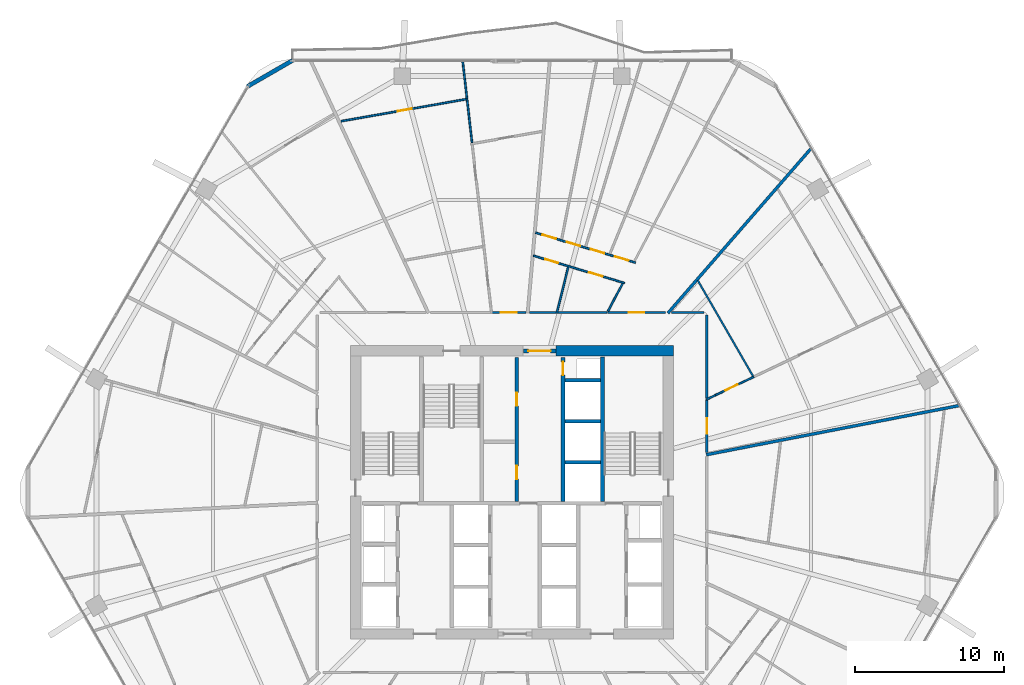
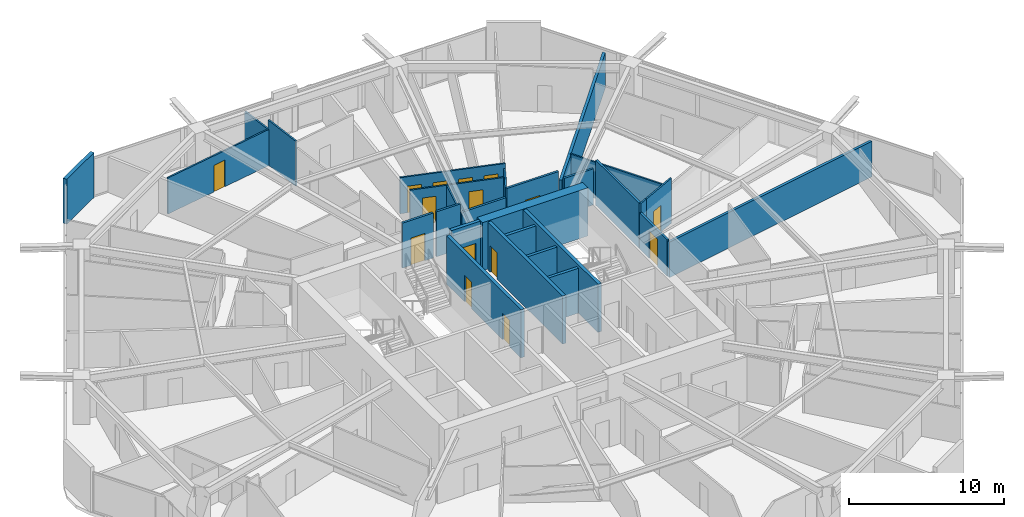
# One storey, part 28 of 33: 28 walls, 15 doors, 15 openings.
"""IFC4 building model written with IfcOpenShell, lengths in metres."""

from ifc_helpers import new_model, si_unit, direction, frame, frame_2d, origin, place, context, subcontext, project, spatial, rectangle, extrude, material, layer, layer_set, type_object, element, fill, save


model = new_model("IFC4")

# Units and contexts
model_context = context("Model", 3, precision=1e-05, world=origin(), true_north=direction((0.0, 1.0)))
body_context = subcontext(model_context, "Body", "Model", "MODEL_VIEW")
ifc_project = project(units=[si_unit("LENGTHUNIT", "METRE"), si_unit("AREAUNIT", "SQUARE_METRE"), si_unit("VOLUMEUNIT", "CUBIC_METRE"), si_unit("PLANEANGLEUNIT", "RADIAN"), si_unit("MASSUNIT", "GRAM", prefix="KILO")], contexts=[model_context])

# Site, building, storey
site_placement = place(None, origin())
site = spatial("IfcSite", under=ifc_project, at=site_placement, CompositionType="ELEMENT")
building_placement = place(site_placement, origin())
building = spatial("IfcBuilding", under=site, at=building_placement, Name="Zuhravey Tower", CompositionType="ELEMENT")
storey_placement = place(building_placement, frame((0.0, 0.0, 126.60009765625)))
storey = spatial("IfcBuildingStorey", under=building, at=storey_placement, Name="L31", CompositionType="ELEMENT", Elevation=126.60009765625)

# Wall
ifc_material_1 = material(Name="Concrete C60/75", Category="concrete")
ifc_layer_1 = layer(ifc_material_1, 0.699951171875)
ifc_layer_set_1 = layer_set([ifc_layer_1], Name="Concrete C60/75")
wall_type_1 = type_object("IfcWallType", Name="Core Shear Wall 700", PredefinedType="SHEAR", material=ifc_layer_set_1)
wall_1_placement = place(storey_placement, frame((46.85009765625, 41.5, 0.0), z_axis=(0.0, 0.0, 1.0), x_axis=(-1.0, 0.0, 0.0)))
element("IfcWall", 1, at=wall_1_placement, inside=storey, type_object=wall_type_1, Name="L31 North-East Core Shear Wall CW70", PredefinedType="SHEAR", context=body_context, shape_type="SweptSolid", body=[
    extrude(rectangle(XDim=7.900146484375, YDim=0.699951171875, at=frame_2d((3.9501953125, 0.0))), origin(), (0.0, 0.0, 1.0), 3.7998046875),
])

# Wall, opening, door
ifc_material_2 = material(Name="Gypsum fire-rated stud partition")
ifc_layer_2 = layer(ifc_material_2, 0.159912109375)
ifc_layer_set_2 = layer_set([ifc_layer_2], Name="Gypsum fire-rated stud partition")
wall_type_2 = type_object("IfcWallType", Name="Corridor Fire Partition 160", PredefinedType="PARTITIONING", material=ifc_layer_set_2)
wall_2_placement = place(storey_placement, frame((49.080078125, 34.681640625, 0.0), z_axis=(0.0, 0.0, 1.0), x_axis=(0.0, 1.0, 0.0)))
wall_2 = element("IfcWall", 2, at=wall_2_placement, inside=storey, type_object=wall_type_2, Name="L31 IW16 Partition 022", PredefinedType="PARTITIONING", context=body_context, shape_type="SweptSolid", body=[
    extrude(rectangle(XDim=3.5517578125, YDim=0.159912109375, at=frame_2d((1.77587890625, 0.0))), origin(), (0.0, 0.0, 1.0), 2.849853515625),
])
opening_1_placement = place(wall_2_placement, frame((1.2509765625, 0.0, 0.0)))
opening_1 = element("IfcOpeningElement", 3, at=opening_1_placement, cuts=wall_2, Name="Opening APD1", PredefinedType="OPENING", context=body_context, shape_type="SweptSolid", body=[
    extrude(rectangle(XDim=1.050048828125, YDim=2.14990234375, at=frame_2d((0.52490234375, 1.074951171875))), frame((0.0, 0.092041015625, 0.0), z_axis=(0.0, -1.0, 0.0), x_axis=(1.0, 0.0, 0.0)), (0.0, 0.0, 1.0), 0.183837890625),
])
ifc_material_3 = material(Name="Solid-core oak fire-rated leaf")
door_type_1 = type_object("IfcDoorType", Name="Apartment Entrance Fire Door 1050x2150", OperationType="NOTDEFINED", PredefinedType="DOOR", material=ifc_material_3)
door_1_placement = place(opening_1_placement, frame((1.050048828125, 0.0, 0.0), z_axis=(0.0, 0.0, 1.0), x_axis=(-1.0, 0.0, 0.0)))
door_1 = element("IfcDoor", 4, at=door_1_placement, inside=storey, type_object=door_type_1, Name="L31 Door 022.1", OperationType="SINGLE_SWING_RIGHT", OverallHeight=2.14990234375, OverallWidth=1.050048828125, PredefinedType="DOOR", context=body_context, shape_type="SweptSolid", body=[
    extrude(rectangle(XDim=1.050048828125, YDim=2.14990234375, at=frame_2d((0.52490234375, 1.074951171875))), frame((0.0, 0.02490234375, 0.0), z_axis=(0.0, -1.0, 0.0), x_axis=(1.0, 0.0, 0.0)), (0.0, 0.0, 1.0), 0.050048828125),
])
fill(opening_1, door_1)

wall_3_placement = place(storey_placement, frame((46.291015625, 44.080078125, 0.0), z_axis=(0.0, 0.0, 1.0), x_axis=(-1.0, 0.0, 0.0)))
wall_3 = element("IfcWall", 5, at=wall_3_placement, inside=storey, type_object=wall_type_2, Name="L31 IW16 Partition 026", PredefinedType="PARTITIONING", context=body_context, shape_type="SweptSolid", body=[
    extrude(rectangle(XDim=3.872314453125, YDim=0.159912109375, at=frame_2d((1.93603515625, 0.0))), origin(), (0.0, 0.0, 1.0), 3.5498046875),
])
opening_2_placement = place(wall_3_placement, frame((1.4111328125, 0.0, 0.0)))
opening_2 = element("IfcOpeningElement", 6, at=opening_2_placement, cuts=wall_3, Name="Opening APD1", PredefinedType="OPENING", context=body_context, shape_type="SweptSolid", body=[
    extrude(rectangle(XDim=1.050048828125, YDim=2.14990234375, at=frame_2d((0.52490234375, 1.074951171875))), frame((0.0, 0.092041015625, 0.0), z_axis=(0.0, -1.0, 0.0), x_axis=(1.0, 0.0, 0.0)), (0.0, 0.0, 1.0), 0.183837890625),
])
door_2_placement = place(opening_2_placement, frame((1.050048828125, 0.0, 0.0), z_axis=(0.0, 0.0, 1.0), x_axis=(-1.0, 0.0, 0.0)))
door_2 = element("IfcDoor", 7, at=door_2_placement, inside=storey, type_object=door_type_1, Name="L31 Door 026.1", OperationType="SINGLE_SWING_RIGHT", OverallHeight=2.14990234375, OverallWidth=1.050048828125, PredefinedType="DOOR", context=body_context, shape_type="SweptSolid", body=[
    extrude(rectangle(XDim=1.050048828125, YDim=2.14990234375, at=frame_2d((0.52490234375, 1.074951171875))), frame((0.0, 0.02490234375, 0.0), z_axis=(0.0, -1.0, 0.0), x_axis=(1.0, 0.0, 0.0)), (0.0, 0.0, 1.0), 0.050048828125),
])
fill(opening_2, door_2)

wall_4_placement = place(storey_placement, frame((36.9306640625, 44.080078125, 0.0), z_axis=(0.0, 0.0, 1.0), x_axis=(-1.0, 0.0, 0.0)))
wall_4 = element("IfcWall", 8, at=wall_4_placement, inside=storey, type_object=wall_type_2, Name="L31 IW16 Partition 032", PredefinedType="PARTITIONING", context=body_context, shape_type="SweptSolid", body=[
    extrude(rectangle(XDim=2.291259765625, YDim=0.159912109375, at=frame_2d((1.1455078125, 0.0))), origin(), (0.0, 0.0, 1.0), 3.5498046875),
])
opening_3_placement = place(wall_4_placement, frame((0.62060546875, 0.0, 0.0)))
opening_3 = element("IfcOpeningElement", 9, at=opening_3_placement, cuts=wall_4, Name="Opening APD1", PredefinedType="OPENING", context=body_context, shape_type="SweptSolid", body=[
    extrude(rectangle(XDim=1.050048828125, YDim=2.14990234375, at=frame_2d((0.52490234375, 1.074951171875))), frame((0.0, 0.092041015625, 0.0), z_axis=(0.0, -1.0, 0.0), x_axis=(1.0, 0.0, 0.0)), (0.0, 0.0, 1.0), 0.183837890625),
])
door_3_placement = place(opening_3_placement, frame((1.050048828125, 0.0, 0.0), z_axis=(0.0, 0.0, 1.0), x_axis=(-1.0, 0.0, 0.0)))
door_3 = element("IfcDoor", 10, at=door_3_placement, inside=storey, type_object=door_type_1, Name="L31 Door 032.1", OperationType="SINGLE_SWING_LEFT", OverallHeight=2.14990234375, OverallWidth=1.050048828125, PredefinedType="DOOR", context=body_context, shape_type="SweptSolid", body=[
    extrude(rectangle(XDim=1.050048828125, YDim=2.14990234375, at=frame_2d((0.52490234375, 1.074951171875))), frame((0.0, 0.02490234375, 0.0), z_axis=(0.0, -1.0, 0.0), x_axis=(1.0, 0.0, 0.0)), (0.0, 0.0, 1.0), 0.050048828125),
])
fill(opening_3, door_3)

# Walls
wall_5_placement = place(storey_placement, frame((49.080078125, 38.3310546875, 0.0), z_axis=(0.0, 0.0, 1.0), x_axis=(0.0, 1.0, 0.0)))
element("IfcWall", 11, at=wall_5_placement, inside=storey, type_object=wall_type_2, Name="L31 IW16 Partition 128", PredefinedType="PARTITIONING", context=body_context, shape_type="SweptSolid", body=[
    extrude(rectangle(XDim=5.56884765625, YDim=0.159912109375, at=frame_2d((2.784423828125, 0.0))), origin(), (0.0, 0.0, 1.0), 3.5498046875),
])
wall_6_placement = place(storey_placement, frame((48.89990234375, 44.080078125, 0.0), z_axis=(0.0, 0.0, 1.0), x_axis=(-1.0, 0.0, 0.0)))
element("IfcWall", 12, at=wall_6_placement, inside=storey, type_object=wall_type_2, Name="L31 IW16 Partition 129", PredefinedType="PARTITIONING", context=body_context, shape_type="SweptSolid", body=[
    extrude(rectangle(XDim=2.185791015625, YDim=0.159912109375, at=frame_2d((1.0927734375, 0.0))), origin(), (0.0, 0.0, 1.0), 2.849853515625),
])
wall_7_placement = place(storey_placement, frame((42.373291015625, 44.080078125, 0.0), z_axis=(0.0, 0.0, 1.0), x_axis=(-1.0, 0.0, 0.0)))
element("IfcWall", 13, at=wall_7_placement, inside=storey, type_object=wall_type_2, Name="L31 IW16 Partition 130", PredefinedType="PARTITIONING", context=body_context, shape_type="SweptSolid", body=[
    extrude(rectangle(XDim=3.28857421875, YDim=0.159912109375, at=frame_2d((1.644287109375, 0.0))), origin(), (0.0, 0.0, 1.0), 2.849853515625),
])
wall_8_placement = place(storey_placement, frame((38.944580078125, 44.080078125, 0.0), z_axis=(0.0, 0.0, 1.0), x_axis=(-1.0, 0.0, 0.0)))
element("IfcWall", 14, at=wall_8_placement, inside=storey, type_object=wall_type_2, Name="L31 IW16 Partition 131", PredefinedType="PARTITIONING", context=body_context, shape_type="SweptSolid", body=[
    extrude(rectangle(XDim=1.76123046875, YDim=0.159912109375, at=frame_2d((0.880615234375, 0.0))), origin(), (0.0, 0.0, 1.0), 3.5498046875),
])
ifc_material_4 = material(Name="Precast concrete C40/50", Category="concrete")
ifc_layer_3 = layer(ifc_material_4, 0.280029296875)
ifc_layer_set_3 = layer_set([ifc_layer_3], Name="Precast concrete C40/50")
wall_type_3 = type_object("IfcWallType", Name="Crown Architectural Wall 280", PredefinedType="SOLIDWALL", material=ifc_layer_set_3)
wall_9_placement = place(storey_placement, frame((18.23876953125, 59.24853515625, 0.0), z_axis=(0.0, 0.0, 1.0), x_axis=(0.866007452331, 0.500031091541, 0.0)))
element("IfcWall", 15, at=wall_9_placement, inside=storey, type_object=wall_type_3, Name="L31 Rounded Corner Closure Wall EW28-08", PredefinedType="SOLIDWALL", context=body_context, shape_type="SweptSolid", body=[
    extrude(rectangle(XDim=3.514892578125, YDim=0.280029296875, at=frame_2d((1.75732421875, 0.0))), origin(), (0.0, 0.0, 1.0), 3.5498046875),
])

# Wall, opening, door
ifc_material_5 = material(Name="Concrete C50/60", Category="concrete")
ifc_layer_4 = layer(ifc_material_5, 0.25)
ifc_layer_set_4 = layer_set([ifc_layer_4], Name="Concrete C50/60")
wall_type_4 = type_object("IfcWallType", Name="Firefighting Shaft & Stair Wall 250", PredefinedType="SOLIDWALL", material=ifc_layer_set_4)
wall_10_placement = place(storey_placement, frame((36.760009765625, 41.5, 0.0), z_axis=(0.0, 0.0, 1.0), x_axis=(1.0, 0.0, 0.0)))
wall_10 = element("IfcWall", 16, at=wall_10_placement, inside=storey, type_object=wall_type_4, Name="L31 FW25 Shaft Wall 002", PredefinedType="SOLIDWALL", context=body_context, shape_type="SweptSolid", body=[
    extrude(rectangle(XDim=2.179931640625, YDim=0.25, at=frame_2d((1.08984375, 0.0))), origin(), (0.0, 0.0, 1.0), 3.7998046875),
])
opening_4_placement = place(wall_10_placement, frame((0.340087890625, 0.0, 0.0)))
opening_4 = element("IfcOpeningElement", 17, at=opening_4_placement, cuts=wall_10, Name="Opening FFD1", PredefinedType="OPENING", context=body_context, shape_type="SweptSolid", body=[
    extrude(rectangle(XDim=1.5, YDim=2.14990234375, at=frame_2d((0.75, 1.074951171875))), frame((0.0, 0.136962890625, 0.0), z_axis=(0.0, -1.0, 0.0), x_axis=(1.0, 0.0, 0.0)), (0.0, 0.0, 1.0), 0.27392578125),
])
ifc_material_6 = material(Name="Galvanised fire-rated steel leaf", Category="steel")
door_type_2 = type_object("IfcDoorType", Name="Firefighting Lobby Double Door 1500x2150", OperationType="DOUBLE_DOOR_SINGLE_SWING", PredefinedType="DOOR", material=ifc_material_6)
door_4_placement = place(opening_4_placement, origin())
door_4 = element("IfcDoor", 18, at=door_4_placement, inside=storey, type_object=door_type_2, Name="L31 North Lift Lobby Exit Door", OperationType="DOUBLE_DOOR_SINGLE_SWING", OverallHeight=2.14990234375, OverallWidth=1.5, PredefinedType="DOOR", context=body_context, shape_type="SweptSolid", body=[
    extrude(rectangle(XDim=1.5, YDim=2.14990234375, at=frame_2d((0.75, 1.074951171875))), frame((0.0, 0.02490234375, 0.0), z_axis=(0.0, -1.0, 0.0), x_axis=(1.0, 0.0, 0.0)), (0.0, 0.0, 1.0), 0.050048828125),
])
fill(opening_4, door_4)

# Wall
wall_11_placement = place(storey_placement, frame((42.074951171875, 31.39990234375, 0.0), z_axis=(0.0, 0.0, 1.0), x_axis=(0.0, 1.0, 0.0)))
element("IfcWall", 19, at=wall_11_placement, inside=storey, type_object=wall_type_4, Name="L31 FW25 Shaft Wall 006", PredefinedType="SOLIDWALL", context=body_context, shape_type="SweptSolid", body=[
    extrude(rectangle(XDim=9.7001953125, YDim=0.25, at=frame_2d((4.85009765625, 0.0))), origin(), (0.0, 0.0, 1.0), 3.7998046875),
])

# Wall, openings, doors
wall_12_placement = place(storey_placement, frame((36.324951171875, 31.39990234375, 0.0), z_axis=(0.0, 0.0, 1.0), x_axis=(0.0, 1.0, 0.0)))
wall_12 = element("IfcWall", 20, at=wall_12_placement, inside=storey, type_object=wall_type_4, Name="L31 FW25 Shaft Wall 007", PredefinedType="SOLIDWALL", context=body_context, shape_type="SweptSolid", body=[
    extrude(rectangle(XDim=9.650146484375, YDim=0.25, at=frame_2d((4.8251953125, 0.0))), origin(), (0.0, 0.0, 1.0), 3.7998046875),
])
opening_5_placement = place(wall_12_placement, frame((1.489990234375, 0.0, 0.0)))
opening_5 = element("IfcOpeningElement", 21, at=opening_5_placement, cuts=wall_12, Name="Opening RSD1", PredefinedType="OPENING", context=body_context, shape_type="SweptSolid", body=[
    extrude(rectangle(XDim=0.89990234375, YDim=2.10009765625, at=frame_2d((0.449951171875, 1.050048828125))), frame((0.0, 0.136962890625, 0.0), z_axis=(0.0, -1.0, 0.0), x_axis=(1.0, 0.0, 0.0)), (0.0, 0.0, 1.0), 0.27392578125),
])
opening_6_placement = place(wall_12_placement, frame((6.409912109375, 0.0, 0.0)))
opening_6 = element("IfcOpeningElement", 22, at=opening_6_placement, cuts=wall_12, Name="Opening RSD1", PredefinedType="OPENING", context=body_context, shape_type="SweptSolid", body=[
    extrude(rectangle(XDim=0.89990234375, YDim=2.10009765625, at=frame_2d((0.449951171875, 1.050048828125))), frame((0.0, 0.136962890625, 0.0), z_axis=(0.0, -1.0, 0.0), x_axis=(1.0, 0.0, 0.0)), (0.0, 0.0, 1.0), 0.27392578125),
])
ifc_material_7 = material(Name="Galvanised fire-rated steel access leaf", Category="steel")
door_type_3 = type_object("IfcDoorType", Name="Riser & Shaft Access Fire Door 900x2100", OperationType="NOTDEFINED", PredefinedType="DOOR", material=ifc_material_7)
door_5_placement = place(opening_5_placement, origin())
door_5 = element("IfcDoor", 23, at=door_5_placement, inside=storey, type_object=door_type_3, Name="L31 Core Cleaner Store Door", OperationType="SINGLE_SWING_LEFT", OverallHeight=2.10009765625, OverallWidth=0.89990234375, PredefinedType="DOOR", context=body_context, shape_type="SweptSolid", body=[
    extrude(rectangle(XDim=0.89990234375, YDim=2.10009765625, at=frame_2d((0.449951171875, 1.050048828125))), frame((0.0, 0.02490234375, 0.0), z_axis=(0.0, -1.0, 0.0), x_axis=(1.0, 0.0, 0.0)), (0.0, 0.0, 1.0), 0.050048828125),
])
fill(opening_5, door_5)
door_6_placement = place(opening_6_placement, origin())
door_6 = element("IfcDoor", 24, at=door_6_placement, inside=storey, type_object=door_type_3, Name="L31 Core Pantry and Tea Room Door", OperationType="SINGLE_SWING_RIGHT", OverallHeight=2.10009765625, OverallWidth=0.89990234375, PredefinedType="DOOR", context=body_context, shape_type="SweptSolid", body=[
    extrude(rectangle(XDim=0.89990234375, YDim=2.10009765625, at=frame_2d((0.449951171875, 1.050048828125))), frame((0.0, 0.02490234375, 0.0), z_axis=(0.0, -1.0, 0.0), x_axis=(1.0, 0.0, 0.0)), (0.0, 0.0, 1.0), 0.050048828125),
])
fill(opening_6, door_6)

# Wall, opening, door
wall_13_placement = place(storey_placement, frame((39.425048828125, 31.39990234375, 0.0), z_axis=(0.0, 0.0, 1.0), x_axis=(0.0, 1.0, 0.0)))
wall_13 = element("IfcWall", 25, at=wall_13_placement, inside=storey, type_object=wall_type_4, Name="L31 FW25 Shaft Wall 008", PredefinedType="SOLIDWALL", context=body_context, shape_type="SweptSolid", body=[
    extrude(rectangle(XDim=9.650146484375, YDim=0.25, at=frame_2d((4.8251953125, 0.0))), origin(), (0.0, 0.0, 1.0), 3.7998046875),
])
opening_7_placement = place(wall_13_placement, frame((8.469970703125, 0.0, 0.0)))
opening_7 = element("IfcOpeningElement", 26, at=opening_7_placement, cuts=wall_13, Name="Opening RSD1", PredefinedType="OPENING", context=body_context, shape_type="SweptSolid", body=[
    extrude(rectangle(XDim=0.89990234375, YDim=2.10009765625, at=frame_2d((0.449951171875, 1.050048828125))), frame((0.0, 0.136962890625, 0.0), z_axis=(0.0, -1.0, 0.0), x_axis=(1.0, 0.0, 0.0)), (0.0, 0.0, 1.0), 0.27392578125),
])
door_7_placement = place(opening_7_placement, origin())
door_7 = element("IfcDoor", 27, at=door_7_placement, inside=storey, type_object=door_type_3, Name="L31 North Riser Door", OperationType="SINGLE_SWING_LEFT", OverallHeight=2.10009765625, OverallWidth=0.89990234375, PredefinedType="DOOR", context=body_context, shape_type="SweptSolid", body=[
    extrude(rectangle(XDim=0.89990234375, YDim=2.10009765625, at=frame_2d((0.449951171875, 1.050048828125))), frame((0.0, 0.02490234375, 0.0), z_axis=(0.0, -1.0, 0.0), x_axis=(1.0, 0.0, 0.0)), (0.0, 0.0, 1.0), 0.050048828125),
])
fill(opening_7, door_7)

# Walls
ifc_material_8 = material(Name="Gypsum double-stud party assembly")
ifc_layer_5 = layer(ifc_material_8, 0.199951171875)
ifc_layer_set_5 = layer_set([ifc_layer_5], Name="Gypsum double-stud party assembly")
wall_type_5 = type_object("IfcWallType", Name="Inter-Tenancy Party Wall 200", PredefinedType="PARTITIONING", material=ifc_layer_set_5)
wall_14_placement = place(storey_placement, frame((49.0400390625, 34.53466796875, 0.0), z_axis=(0.0, 0.0, 1.0), x_axis=(0.981625938162, 0.190815401706, 0.0)))
element("IfcWall", 28, at=wall_14_placement, inside=storey, type_object=wall_type_5, Name="L31 IW20 Partition 075", PredefinedType="PARTITIONING", context=body_context, shape_type="SweptSolid", body=[
    extrude(rectangle(XDim=17.343017578125, YDim=0.199951171875, at=frame_2d((8.67138671875, 0.0))), origin(), (0.0, 0.0, 1.0), 2.7998046875),
])
wall_15_placement = place(storey_placement, frame((46.46630859375, 44.0400390625, 0.0), z_axis=(0.0, 0.0, 1.0), x_axis=(0.656061723069, 0.754707238287, 0.0)))
element("IfcWall", 29, at=wall_15_placement, inside=storey, type_object=wall_type_5, Name="L31 IW20 Partition 079", PredefinedType="PARTITIONING", context=body_context, shape_type="SweptSolid", body=[
    extrude(rectangle(XDim=14.673828125, YDim=0.199951171875, at=frame_2d((7.3369140625, 0.0))), origin(), (0.0, 0.0, 1.0), 2.7998046875),
])
ifc_material_9 = material(Name="Gypsum acoustic stud assembly")
ifc_layer_6 = layer(ifc_material_9, 0.219970703125)
ifc_layer_set_6 = layer_set([ifc_layer_6], Name="Gypsum acoustic stud assembly")
wall_type_6 = type_object("IfcWallType", Name="School Acoustic Compartment Wall 220", PredefinedType="PARTITIONING", material=ifc_layer_set_6)
for number, where, z_axis, x_axis, name in (
    (30, (39.55810546875, 34.02490234375, 0.0), (0.0, 0.0, 1.0), (1.0, 0.0, 0.0), "L31 IW22 Partition 068"),
    (31, (39.55810546875, 36.77490234375, 0.0), (0.0, 0.0, 1.0), (1.0, 0.0, 0.0), "L31 IW22 Partition 069"),
    (32, (39.55810546875, 39.52490234375, 0.0), (0.0, 0.0, 1.0), (1.0, 0.0, 0.0), "L31 IW22 Partition 070"),
):
    element("IfcWall", number, at=place(storey_placement, frame(where, z_axis=z_axis, x_axis=x_axis)), inside=storey, type_object=wall_type_6, Name=name, PredefinedType="PARTITIONING", context=body_context, shape_type="SweptSolid", body=[
        extrude(rectangle(XDim=2.3837890625, YDim=0.219970703125, at=frame_2d((1.19189453125, 0.0))), origin(), (0.0, 0.0, 1.0), 3.5498046875),
    ])

# Wall, opening, door
ifc_material_10 = material(Name="Gypsum metal-stud partition")
ifc_layer_7 = layer(ifc_material_10, 0.1201171875)
ifc_layer_set_7 = layer_set([ifc_layer_7], Name="Gypsum metal-stud partition")
wall_type_7 = type_object("IfcWallType", Name="Unit Internal Partition 120", PredefinedType="PARTITIONING", material=ifc_layer_set_7)
wall_16_placement = place(storey_placement, frame((49.64990234375, 38.5283203125, 0.0), z_axis=(0.0, 0.0, 1.0), x_axis=(0.902135664901, 0.431452479555, 0.0)))
wall_16 = element("IfcWall", 33, at=wall_16_placement, inside=storey, type_object=wall_type_7, Name="L31 IW12 Partition 019", PredefinedType="PARTITIONING", context=body_context, shape_type="SweptSolid", body=[
    extrude(rectangle(XDim=2.86279296875, YDim=0.1201171875, at=frame_2d((1.431396484375, 0.0))), origin(), (0.0, 0.0, 1.0), 3.5498046875),
])
opening_8_placement = place(wall_16_placement, frame((0.752197265625, 0.0, 0.0)))
opening_8 = element("IfcOpeningElement", 34, at=opening_8_placement, cuts=wall_16, Name="Opening WCD1", PredefinedType="OPENING", context=body_context, shape_type="SweptSolid", body=[
    extrude(rectangle(XDim=0.89990234375, YDim=2.10009765625, at=frame_2d((0.449951171875, 1.050048828125))), frame((0.0, 0.072021484375, 0.0), z_axis=(0.0, -1.0, 0.0), x_axis=(1.0, 0.0, 0.0)), (0.0, 0.0, 1.0), 0.14404296875),
])
ifc_material_11 = material(Name="Moisture-resistant timber leaf", Category="wood")
door_type_4 = type_object("IfcDoorType", Name="Bathroom & WC Internal Door 900x2100", OperationType="NOTDEFINED", PredefinedType="DOOR", material=ifc_material_11)
door_8_placement = place(opening_8_placement, origin())
door_8 = element("IfcDoor", 35, at=door_8_placement, inside=storey, type_object=door_type_4, Name="Apartment L31-01 Bathroom Door", OperationType="SINGLE_SWING_LEFT", OverallHeight=2.10009765625, OverallWidth=0.89990234375, PredefinedType="DOOR", context=body_context, shape_type="SweptSolid", body=[
    extrude(rectangle(XDim=0.89990234375, YDim=2.10009765625, at=frame_2d((0.449951171875, 1.050048828125))), frame((0.0, 0.02490234375, 0.0), z_axis=(0.0, -1.0, 0.0), x_axis=(1.0, 0.0, 0.0)), (0.0, 0.0, 1.0), 0.050048828125),
])
fill(opening_8, door_8)

# Wall, openings, doors
wall_17_placement = place(storey_placement, frame((43.555908203125, 46.056640625, 0.0), z_axis=(0.0, 0.0, 1.0), x_axis=(-0.957822082652, 0.287361893759, 0.0)))
wall_17 = element("IfcWall", 36, at=wall_17_placement, inside=storey, type_object=wall_type_7, Name="L31 IW12 Partition 024", PredefinedType="PARTITIONING", context=body_context, shape_type="SweptSolid", body=[
    extrude(rectangle(XDim=6.395751953125, YDim=0.1201171875, at=frame_2d((3.19775390625, 0.0))), origin(), (0.0, 0.0, 1.0), 2.849853515625),
])
opening_9_placement = place(wall_17_placement, frame((1.541748046875, 0.0, 0.0)))
opening_9 = element("IfcOpeningElement", 37, at=opening_9_placement, cuts=wall_17, Name="Opening IND1", PredefinedType="OPENING", context=body_context, shape_type="SweptSolid", body=[
    extrude(rectangle(XDim=0.949951171875, YDim=2.10009765625, at=frame_2d((0.47509765625, 1.050048828125))), frame((0.0, 0.072021484375, 0.0), z_axis=(0.0, -1.0, 0.0), x_axis=(1.0, 0.0, 0.0)), (0.0, 0.0, 1.0), 0.14404296875),
])
opening_10_placement = place(wall_17_placement, frame((4.66259765625, 0.0, 0.0)))
opening_10 = element("IfcOpeningElement", 38, at=opening_10_placement, cuts=wall_17, Name="Opening WCD1", PredefinedType="OPENING", context=body_context, shape_type="SweptSolid", body=[
    extrude(rectangle(XDim=0.89990234375, YDim=2.10009765625, at=frame_2d((0.449951171875, 1.050048828125))), frame((0.0, 0.072021484375, 0.0), z_axis=(0.0, -1.0, 0.0), x_axis=(1.0, 0.0, 0.0)), (0.0, 0.0, 1.0), 0.14404296875),
])
door_9_placement = place(opening_10_placement, origin())
door_9 = element("IfcDoor", 39, at=door_9_placement, inside=storey, type_object=door_type_4, Name="Apartment L31-02 Bathroom Door", OperationType="SINGLE_SWING_LEFT", OverallHeight=2.10009765625, OverallWidth=0.89990234375, PredefinedType="DOOR", context=body_context, shape_type="SweptSolid", body=[
    extrude(rectangle(XDim=0.89990234375, YDim=2.10009765625, at=frame_2d((0.449951171875, 1.050048828125))), frame((0.0, 0.02490234375, 0.0), z_axis=(0.0, -1.0, 0.0), x_axis=(1.0, 0.0, 0.0)), (0.0, 0.0, 1.0), 0.050048828125),
])
fill(opening_10, door_9)
ifc_material_12 = material(Name="Painted engineered timber leaf", Category="wood")
door_type_5 = type_object("IfcDoorType", Name="Internal Room & Bedroom Door 950x2100", OperationType="NOTDEFINED", PredefinedType="DOOR", material=ifc_material_12)
door_10_placement = place(opening_9_placement, origin())
door_10 = element("IfcDoor", 40, at=door_10_placement, inside=storey, type_object=door_type_5, Name="Apartment L31-02 Kitchen Door", OperationType="SINGLE_SWING_RIGHT", OverallHeight=2.10009765625, OverallWidth=0.949951171875, PredefinedType="DOOR", context=body_context, shape_type="SweptSolid", body=[
    extrude(rectangle(XDim=0.949951171875, YDim=2.10009765625, at=frame_2d((0.47509765625, 1.050048828125))), frame((0.0, 0.02490234375, 0.0), z_axis=(0.0, -1.0, 0.0), x_axis=(1.0, 0.0, 0.0)), (0.0, 0.0, 1.0), 0.050048828125),
])
fill(opening_9, door_10)

wall_18_placement = place(storey_placement, frame((44.28076171875, 47.426025390625, 0.0), z_axis=(0.0, 0.0, 1.0), x_axis=(-0.957812840143, 0.287392698684, 0.0)))
wall_18 = element("IfcWall", 41, at=wall_18_placement, inside=storey, type_object=wall_type_7, Name="L31 IW12 Partition 025", PredefinedType="PARTITIONING", context=body_context, shape_type="SweptSolid", body=[
    extrude(rectangle(XDim=6.997314453125, YDim=0.1201171875, at=frame_2d((3.49853515625, 0.0))), origin(), (0.0, 0.0, 1.0), 2.849853515625),
])
opening_11_placement = place(wall_18_placement, frame((0.4833984375, 0.0, 0.0)))
opening_11 = element("IfcOpeningElement", 42, at=opening_11_placement, cuts=wall_18, Name="Opening IND1", PredefinedType="OPENING", context=body_context, shape_type="SweptSolid", body=[
    extrude(rectangle(XDim=0.949951171875, YDim=2.10009765625, at=frame_2d((0.47509765625, 1.050048828125))), frame((0.0, 0.072021484375, 0.0), z_axis=(0.0, -1.0, 0.0), x_axis=(1.0, 0.0, 0.0)), (0.0, 0.0, 1.0), 0.14404296875),
])
opening_12_placement = place(wall_18_placement, frame((2.182373046875, 0.0, 0.0)))
opening_12 = element("IfcOpeningElement", 43, at=opening_12_placement, cuts=wall_18, Name="Opening IND1", PredefinedType="OPENING", context=body_context, shape_type="SweptSolid", body=[
    extrude(rectangle(XDim=0.949951171875, YDim=2.10009765625, at=frame_2d((0.47509765625, 1.050048828125))), frame((0.0, 0.072021484375, 0.0), z_axis=(0.0, -1.0, 0.0), x_axis=(1.0, 0.0, 0.0)), (0.0, 0.0, 1.0), 0.14404296875),
])
opening_13_placement = place(wall_18_placement, frame((3.864990234375, 0.0, 0.0)))
opening_13 = element("IfcOpeningElement", 44, at=opening_13_placement, cuts=wall_18, Name="Opening IND1", PredefinedType="OPENING", context=body_context, shape_type="SweptSolid", body=[
    extrude(rectangle(XDim=0.949951171875, YDim=2.10009765625, at=frame_2d((0.47509765625, 1.050048828125))), frame((0.0, 0.072021484375, 0.0), z_axis=(0.0, -1.0, 0.0), x_axis=(1.0, 0.0, 0.0)), (0.0, 0.0, 1.0), 0.14404296875),
])
opening_14_placement = place(wall_18_placement, frame((5.564208984375, 0.0, 0.0)))
opening_14 = element("IfcOpeningElement", 45, at=opening_14_placement, cuts=wall_18, Name="Opening IND1", PredefinedType="OPENING", context=body_context, shape_type="SweptSolid", body=[
    extrude(rectangle(XDim=0.949951171875, YDim=2.10009765625, at=frame_2d((0.47509765625, 1.050048828125))), frame((0.0, 0.072021484375, 0.0), z_axis=(0.0, -1.0, 0.0), x_axis=(1.0, 0.0, 0.0)), (0.0, 0.0, 1.0), 0.14404296875),
])
door_11_placement = place(opening_11_placement, frame((0.949951171875, 0.0, 0.0), z_axis=(0.0, 0.0, 1.0), x_axis=(-1.0, 0.0, 0.0)))
door_11 = element("IfcDoor", 46, at=door_11_placement, inside=storey, type_object=door_type_5, Name="Apartment L31-02 Bedroom 1 Door", OperationType="SINGLE_SWING_RIGHT", OverallHeight=2.10009765625, OverallWidth=0.949951171875, PredefinedType="DOOR", context=body_context, shape_type="SweptSolid", body=[
    extrude(rectangle(XDim=0.949951171875, YDim=2.10009765625, at=frame_2d((0.47509765625, 1.050048828125))), frame((0.0, 0.02490234375, 0.0), z_axis=(0.0, -1.0, 0.0), x_axis=(1.0, 0.0, 0.0)), (0.0, 0.0, 1.0), 0.050048828125),
])
fill(opening_11, door_11)
door_12_placement = place(opening_12_placement, frame((0.949951171875, 0.0, 0.0), z_axis=(0.0, 0.0, 1.0), x_axis=(-1.0, 0.0, 0.0)))
door_12 = element("IfcDoor", 47, at=door_12_placement, inside=storey, type_object=door_type_5, Name="Apartment L31-02 Bedroom 2 Door", OperationType="SINGLE_SWING_LEFT", OverallHeight=2.10009765625, OverallWidth=0.949951171875, PredefinedType="DOOR", context=body_context, shape_type="SweptSolid", body=[
    extrude(rectangle(XDim=0.949951171875, YDim=2.10009765625, at=frame_2d((0.47509765625, 1.050048828125))), frame((0.0, 0.02490234375, 0.0), z_axis=(0.0, -1.0, 0.0), x_axis=(1.0, 0.0, 0.0)), (0.0, 0.0, 1.0), 0.050048828125),
])
fill(opening_12, door_12)
door_13_placement = place(opening_13_placement, frame((0.949951171875, 0.0, 0.0), z_axis=(0.0, 0.0, 1.0), x_axis=(-1.0, 0.0, 0.0)))
door_13 = element("IfcDoor", 48, at=door_13_placement, inside=storey, type_object=door_type_5, Name="Apartment L31-02 Bedroom 3 Door", OperationType="SINGLE_SWING_RIGHT", OverallHeight=2.10009765625, OverallWidth=0.949951171875, PredefinedType="DOOR", context=body_context, shape_type="SweptSolid", body=[
    extrude(rectangle(XDim=0.949951171875, YDim=2.10009765625, at=frame_2d((0.47509765625, 1.050048828125))), frame((0.0, 0.02490234375, 0.0), z_axis=(0.0, -1.0, 0.0), x_axis=(1.0, 0.0, 0.0)), (0.0, 0.0, 1.0), 0.050048828125),
])
fill(opening_13, door_13)
door_14_placement = place(opening_14_placement, frame((0.949951171875, 0.0, 0.0), z_axis=(0.0, 0.0, 1.0), x_axis=(-1.0, 0.0, 0.0)))
door_14 = element("IfcDoor", 49, at=door_14_placement, inside=storey, type_object=door_type_5, Name="Apartment L31-02 Bedroom 4 Door", OperationType="SINGLE_SWING_LEFT", OverallHeight=2.10009765625, OverallWidth=0.949951171875, PredefinedType="DOOR", context=body_context, shape_type="SweptSolid", body=[
    extrude(rectangle(XDim=0.949951171875, YDim=2.10009765625, at=frame_2d((0.47509765625, 1.050048828125))), frame((0.0, 0.02490234375, 0.0), z_axis=(0.0, -1.0, 0.0), x_axis=(1.0, 0.0, 0.0)), (0.0, 0.0, 1.0), 0.050048828125),
])
fill(opening_14, door_14)

# Wall
wall_19_placement = place(storey_placement, frame((33.31689453125, 55.476318359375, 0.0), z_axis=(0.0, 0.0, 1.0), x_axis=(-0.113518831764, 0.993535844766, 0.0)))
element("IfcWall", 50, at=wall_19_placement, inside=storey, type_object=wall_type_7, Name="L31 IW12 Partition 030", PredefinedType="PARTITIONING", context=body_context, shape_type="SweptSolid", body=[
    extrude(rectangle(XDim=2.9765625, YDim=0.1201171875, at=frame_2d((1.48828125, 0.0))), origin(), (0.0, 0.0, 1.0), 3.5498046875),
])

# Wall, opening, door
wall_20_placement = place(storey_placement, frame((32.914794921875, 58.396728515625, 0.0), z_axis=(0.0, 0.0, 1.0), x_axis=(-0.984808385469, -0.17364459079, 0.0)))
wall_20 = element("IfcWall", 51, at=wall_20_placement, inside=storey, type_object=wall_type_7, Name="L31 IW12 Partition 031", PredefinedType="PARTITIONING", context=body_context, shape_type="SweptSolid", body=[
    extrude(rectangle(XDim=8.510498046875, YDim=0.1201171875, at=frame_2d((4.25537109375, 0.0))), origin(), (0.0, 0.0, 1.0), 2.849853515625),
])
opening_15_placement = place(wall_20_placement, frame((3.69580078125, 0.0, 0.0)))
opening_15 = element("IfcOpeningElement", 52, at=opening_15_placement, cuts=wall_20, Name="Opening IND1", PredefinedType="OPENING", context=body_context, shape_type="SweptSolid", body=[
    extrude(rectangle(XDim=0.949951171875, YDim=2.10009765625, at=frame_2d((0.47509765625, 1.050048828125))), frame((0.0, 0.072021484375, 0.0), z_axis=(0.0, -1.0, 0.0), x_axis=(1.0, 0.0, 0.0)), (0.0, 0.0, 1.0), 0.14404296875),
])
door_15_placement = place(opening_15_placement, frame((0.949951171875, 0.0, 0.0), z_axis=(0.0, 0.0, 1.0), x_axis=(-1.0, 0.0, 0.0)))
door_15 = element("IfcDoor", 53, at=door_15_placement, inside=storey, type_object=door_type_5, Name="Apartment L31-03 Kitchen Door", OperationType="SINGLE_SWING_RIGHT", OverallHeight=2.10009765625, OverallWidth=0.949951171875, PredefinedType="DOOR", context=body_context, shape_type="SweptSolid", body=[
    extrude(rectangle(XDim=0.949951171875, YDim=2.10009765625, at=frame_2d((0.47509765625, 1.050048828125))), frame((0.0, 0.02490234375, 0.0), z_axis=(0.0, -1.0, 0.0), x_axis=(1.0, 0.0, 0.0)), (0.0, 0.0, 1.0), 0.050048828125),
])
fill(opening_15, door_15)

# Walls
wall_21_placement = place(storey_placement, frame((49.03759765625, 38.2353515625, 0.0), z_axis=(0.0, 0.0, 1.0), x_axis=(0.902061167318, 0.431608214028, 0.0)))
element("IfcWall", 54, at=wall_21_placement, inside=storey, type_object=wall_type_7, Name="L31 IW12 Partition 076", PredefinedType="PARTITIONING", context=body_context, shape_type="SweptSolid", body=[
    extrude(rectangle(XDim=0.6787109375, YDim=0.1201171875, at=frame_2d((0.33935546875, 0.0))), origin(), (0.0, 0.0, 1.0), 3.5498046875),
])
wall_22_placement = place(storey_placement, frame((52.17578125, 39.811767578125, 0.0), z_axis=(0.0, 0.0, 1.0), x_axis=(-0.499998637326, 0.866026190523, 0.0)))
element("IfcWall", 55, at=wall_22_placement, inside=storey, type_object=wall_type_7, Name="L31 IW12 Partition 078", PredefinedType="PARTITIONING", context=body_context, shape_type="SweptSolid", body=[
    extrude(rectangle(XDim=7.42236328125, YDim=0.1201171875, at=frame_2d((3.711181640625, 0.0))), origin(), (0.0, 0.0, 1.0), 2.849853515625),
])
wall_23_placement = place(storey_placement, frame((39.002197265625, 44.030029296875, 0.0), z_axis=(0.0, 0.0, 1.0), x_axis=(0.242048665755, 0.97026411013, 0.0)))
element("IfcWall", 56, at=wall_23_placement, inside=storey, type_object=wall_type_7, Name="L31 IW12 Partition 080", PredefinedType="PARTITIONING", context=body_context, shape_type="SweptSolid", body=[
    extrude(rectangle(XDim=3.185302734375, YDim=0.1201171875, at=frame_2d((1.5927734375, 0.0))), origin(), (0.0, 0.0, 1.0), 2.849853515625),
])
wall_24_placement = place(storey_placement, frame((42.442626953125, 44.16796875, 0.0), z_axis=(0.0, 0.0, 1.0), x_axis=(0.467962467615, 0.883748340255, 0.0)))
element("IfcWall", 57, at=wall_24_placement, inside=storey, type_object=wall_type_7, Name="L31 IW12 Partition 084", PredefinedType="PARTITIONING", context=body_context, shape_type="SweptSolid", body=[
    extrude(rectangle(XDim=2.100830078125, YDim=0.1201171875, at=frame_2d((1.05029296875, 0.0))), origin(), (0.0, 0.0, 1.0), 3.5498046875),
])
wall_25_placement = place(storey_placement, frame((32.97900390625, 58.43359375, 0.0), z_axis=(0.0, 0.0, 1.0), x_axis=(-0.113619602972, 0.993524325732, 0.0)))
element("IfcWall", 58, at=wall_25_placement, inside=storey, type_object=wall_type_7, Name="L31 IW12 Partition 089", PredefinedType="PARTITIONING", context=body_context, shape_type="SweptSolid", body=[
    extrude(rectangle(XDim=2.54638671875, YDim=0.1201171875, at=frame_2d((1.273193359375, 0.0))), origin(), (0.0, 0.0, 1.0), 2.7998046875),
])

save(model, "model.ifc")
